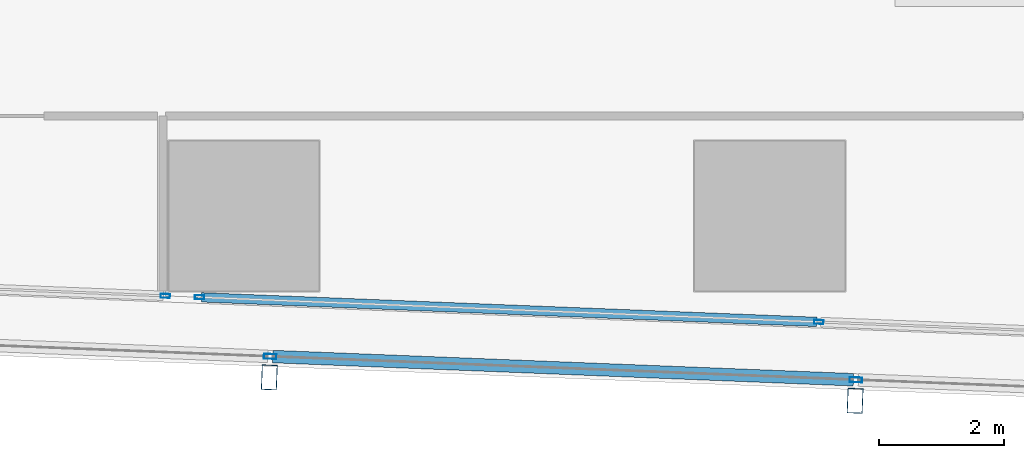
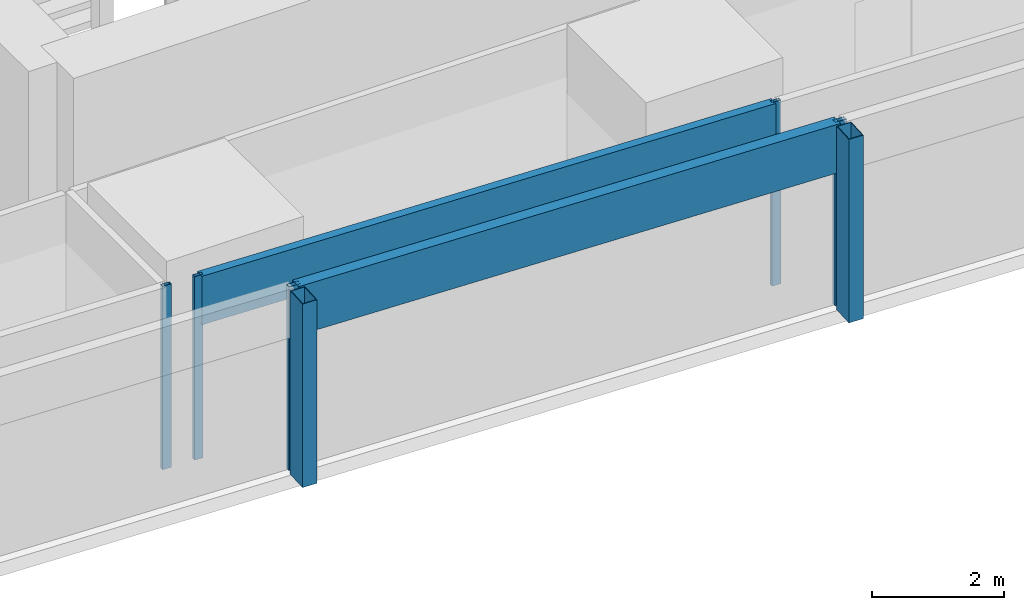
# One storey, part 5 of 34: 9 members, 3 elements without a shape of their own.
"""IFC4 building model written with IfcOpenShell, lengths in metres."""

from ifc_helpers import new_model, si_unit, direction, frame, origin, origin_2d, place, context, subcontext, project, spatial, hollow_rectangle, extrude, material, material_profile, profile_set, type_object, element, aggregate, save


model = new_model("IFC4")

# Units and contexts
model_context = context("Model", 3, precision=1e-05, world=origin(), true_north=direction((0.0, 1.0)))
body_context = subcontext(model_context, "Body", "Model", "MODEL_VIEW")
ifc_project = project(units=[si_unit("LENGTHUNIT", "METRE"), si_unit("AREAUNIT", "SQUARE_METRE"), si_unit("VOLUMEUNIT", "CUBIC_METRE"), si_unit("PLANEANGLEUNIT", "RADIAN"), si_unit("MASSUNIT", "GRAM", prefix="KILO")], contexts=[model_context])

# Site, building, storey
site_placement = place(None, origin())
site = spatial("IfcSite", under=ifc_project, at=site_placement, CompositionType="ELEMENT")
building_placement = place(site_placement, origin())
building = spatial("IfcBuilding", under=site, at=building_placement, Name="Rekha Terrace Tower", CompositionType="ELEMENT")
storey_placement = place(building_placement, frame((0.0, 0.0, 236.449951171875)))
storey = spatial("IfcBuildingStorey", under=building, at=storey_placement, Name="L60", CompositionType="ELEMENT", Elevation=236.449951171875)

# Curtain wall, members
ifc_material_1 = material(Name="Aluminium framing", Category="aluminium")
curtain_wall_type_1 = type_object("IfcCurtainWallType", Name="CW2 double skin outer glazing", PredefinedType="USERDEFINED", material=ifc_material_1)
curtain_wall_1_placement = place(storey_placement, origin())
curtain_wall_1 = element("IfcCurtainWall", 1, at=curtain_wall_1_placement, inside=storey, type_object=curtain_wall_type_1, Name="CW2 double skin outer glazing", ObjectType="DOUBLE SKIN OUTER GLAZING", PredefinedType="USERDEFINED")
ifc_material_2 = material(Name="Steel S355 with fluorocarbon finish", Category="steel")
ifc_material_profile_1 = material_profile(ifc_material_2, hollow_rectangle(XDim=0.25, YDim=0.39990234375, WallThickness=0.012451171875, at=origin_2d()), Name="RHS400x250x12.5")
ifc_profile_set_1 = profile_set([ifc_material_profile_1], Name="Steel S355 with fluorocarbon finish")
member_type_1 = type_object("IfcMemberType", Name="BL1 facade blade RHS 400 x 250", PredefinedType="USERDEFINED", material=ifc_profile_set_1)
member_1_placement = place(storey_placement, frame((25.60498046875, 14.222412109375, 0.0), z_axis=(0.0, 0.0, 1.0), x_axis=(0.999204797763, -0.039871946621, 0.0)))
member_1 = element("IfcMember", 2, at=member_1_placement, type_object=member_type_1, Name="Facade blade", ObjectType="FACADE BLADE", PredefinedType="USERDEFINED", context=body_context, shape_type="SweptSolid", body=[
    extrude(hollow_rectangle(XDim=0.25, YDim=0.39990234375, WallThickness=0.012451171875, at=origin_2d()), origin(), (0.0, 0.0, 1.0), 3.400146484375),
])
member_2_placement = place(storey_placement, frame((34.9638671875, 13.84912109375, 0.0), z_axis=(0.0, 0.0, 1.0), x_axis=(0.999204797763, -0.039871946621, 0.0)))
member_2 = element("IfcMember", 3, at=member_2_placement, type_object=member_type_1, Name="Facade blade", ObjectType="FACADE BLADE", PredefinedType="USERDEFINED", context=body_context, shape_type="SweptSolid", body=[
    extrude(hollow_rectangle(XDim=0.25, YDim=0.39990234375, WallThickness=0.012451171875, at=origin_2d()), origin(), (0.0, 0.0, 1.0), 3.400146484375),
])

# Curtain wall, member
curtain_wall_type_2 = type_object("IfcCurtainWallType", Name="CW1 double skin inner glazing", PredefinedType="USERDEFINED", material=ifc_material_1)
curtain_wall_2_placement = place(storey_placement, origin())
curtain_wall_2 = element("IfcCurtainWall", 4, at=curtain_wall_2_placement, inside=storey, type_object=curtain_wall_type_2, Name="CW1 double skin inner glazing", ObjectType="DOUBLE SKIN INNER GLAZING", PredefinedType="USERDEFINED")
ifc_material_3 = material(Name="Aluminium mullion section", Category="aluminium")
ifc_material_profile_2 = material_profile(ifc_material_3, hollow_rectangle(XDim=0.06494140625, YDim=0.14990234375, WallThickness=0.00390625, at=origin_2d()), Name="AL RHS 65x150")
ifc_profile_set_2 = profile_set([ifc_material_profile_2], Name="Aluminium mullion section")
member_type_2 = type_object("IfcMemberType", Name="CW1 mullion RHS 65 x 150", PredefinedType="MULLION", material=ifc_profile_set_2)
member_3_placement = place(storey_placement, frame((23.94384765625, 15.524658203125, 0.0), z_axis=(0.0, 0.0, 1.0), x_axis=(0.039872497078, 0.999204775798, 0.0)))
member_3 = element("IfcMember", 5, at=member_3_placement, type_object=member_type_2, Name="CW1 mullion 2", PredefinedType="MULLION", context=body_context, shape_type="SweptSolid", body=[
    extrude(hollow_rectangle(XDim=0.06494140625, YDim=0.14990234375, WallThickness=0.00390625, at=origin_2d()), origin(), (0.0, 0.0, 1.0), 3.400146484375),
])
aggregate(curtain_wall_2, [member_3])

# Curtain wall, members
curtain_wall_3_placement = place(storey_placement, origin())
curtain_wall_3 = element("IfcCurtainWall", 6, at=curtain_wall_3_placement, inside=storey, type_object=curtain_wall_type_2, Name="CW1 double skin inner glazing", ObjectType="DOUBLE SKIN INNER GLAZING", PredefinedType="USERDEFINED")
member_4_placement = place(storey_placement, frame((24.489013671875, 15.5029296875, 0.0), z_axis=(0.0, 0.0, 1.0), x_axis=(0.039872497044, 0.999204775799, 0.0)))
member_4 = element("IfcMember", 7, at=member_4_placement, type_object=member_type_2, Name="CW1 mullion 1", PredefinedType="MULLION", context=body_context, shape_type="SweptSolid", body=[
    extrude(hollow_rectangle(XDim=0.06494140625, YDim=0.14990234375, WallThickness=0.00390625, at=origin_2d()), origin(), (0.0, 0.0, 1.0), 3.400146484375),
])
member_5_placement = place(storey_placement, frame((34.38427734375, 15.108154296875, 0.0), z_axis=(0.0, 0.0, 1.0), x_axis=(0.039872497044, 0.999204775799, 0.0)))
member_5 = element("IfcMember", 8, at=member_5_placement, type_object=member_type_2, Name="CW1 mullion 2", PredefinedType="MULLION", context=body_context, shape_type="SweptSolid", body=[
    extrude(hollow_rectangle(XDim=0.06494140625, YDim=0.14990234375, WallThickness=0.00390625, at=origin_2d()), origin(), (0.0, 0.0, 1.0), 3.400146484375),
])
ifc_material_4 = material(Name="Insulated aluminium spandrel box", Category="aluminium")
ifc_material_profile_3 = material_profile(ifc_material_4, hollow_rectangle(XDim=0.14990234375, YDim=0.89990234375, WallThickness=0.0029296875, at=origin_2d()), Name="AL SPANDREL BOX 150x900")
ifc_profile_set_3 = profile_set([ifc_material_profile_3], Name="Insulated aluminium spandrel box")
member_type_3 = type_object("IfcMemberType", Name="CW1 spandrel transom 150 x 900", PredefinedType="USERDEFINED", material=ifc_profile_set_3)
member_6_placement = place(storey_placement, frame((24.521484375, 15.501708984375, 2.949951171875), z_axis=(0.999204522495, -0.039878844347, 0.0), x_axis=(0.039878844347, 0.999204522495, 0.0)))
member_6 = element("IfcMember", 9, at=member_6_placement, type_object=member_type_3, Name="CW1 spandrel transom 1", ObjectType="TRANSOM", PredefinedType="USERDEFINED", context=body_context, shape_type="SweptSolid", body=[
    extrude(hollow_rectangle(XDim=0.14990234375, YDim=0.89990234375, WallThickness=0.0029296875, at=origin_2d()), origin(), (0.0, 0.0, 1.0), 9.838134765625),
])
aggregate(curtain_wall_3, [member_4, member_5, member_6])

# Member
ifc_material_profile_4 = material_profile(ifc_material_3, hollow_rectangle(XDim=0.080078125, YDim=0.199951171875, WallThickness=0.00390625, at=origin_2d()), Name="AL RHS 80x200")
ifc_profile_set_4 = profile_set([ifc_material_profile_4], Name="Aluminium mullion section")
member_type_4 = type_object("IfcMemberType", Name="CW2 mullion RHS 80 x 200", PredefinedType="MULLION", material=ifc_profile_set_4)
member_7_placement = place(storey_placement, frame((25.618408203125, 14.55712890625, 0.0), z_axis=(0.0, 0.0, 1.0), x_axis=(0.039872497044, 0.999204775799, 0.0)))
member_7 = element("IfcMember", 10, at=member_7_placement, type_object=member_type_4, Name="CW2 mullion 3", PredefinedType="MULLION", context=body_context, shape_type="SweptSolid", body=[
    extrude(hollow_rectangle(XDim=0.080078125, YDim=0.199951171875, WallThickness=0.00390625, at=origin_2d()), origin(), (0.0, 0.0, 1.0), 3.400146484375),
])

member_8_placement = place(storey_placement, frame((34.97705078125, 14.183837890625, 0.0), z_axis=(0.0, 0.0, 1.0), x_axis=(0.039872497044, 0.999204775799, 0.0)))
member_8 = element("IfcMember", 11, at=member_8_placement, type_object=member_type_4, Name="CW2 mullion 4", PredefinedType="MULLION", context=body_context, shape_type="SweptSolid", body=[
    extrude(hollow_rectangle(XDim=0.080078125, YDim=0.199951171875, WallThickness=0.00390625, at=origin_2d()), origin(), (0.0, 0.0, 1.0), 3.400146484375),
])

ifc_material_profile_5 = material_profile(ifc_material_4, hollow_rectangle(XDim=0.199951171875, YDim=0.89990234375, WallThickness=0.0029296875, at=origin_2d()), Name="AL SPANDREL BOX 200x900")
ifc_profile_set_5 = profile_set([ifc_material_profile_5], Name="Insulated aluminium spandrel box")
member_type_5 = type_object("IfcMemberType", Name="CW2 spandrel transom 200 x 900", PredefinedType="USERDEFINED", material=ifc_profile_set_5)
member_9_placement = place(storey_placement, frame((25.658447265625, 14.5556640625, 2.949951171875), z_axis=(0.999204356934, -0.039882992408, 0.0), x_axis=(0.039882992408, 0.999204356934, 0.0)))
member_9 = element("IfcMember", 12, at=member_9_placement, type_object=member_type_5, Name="CW2 spandrel transom 3", ObjectType="TRANSOM", PredefinedType="USERDEFINED", context=body_context, shape_type="SweptSolid", body=[
    extrude(hollow_rectangle(XDim=0.199951171875, YDim=0.89990234375, WallThickness=0.0029296875, at=origin_2d()), origin(), (0.0, 0.0, 1.0), 9.2861328125),
])

aggregate(curtain_wall_1, [member_7, member_8, member_9, member_1, member_2])

save(model, "model.ifc")
